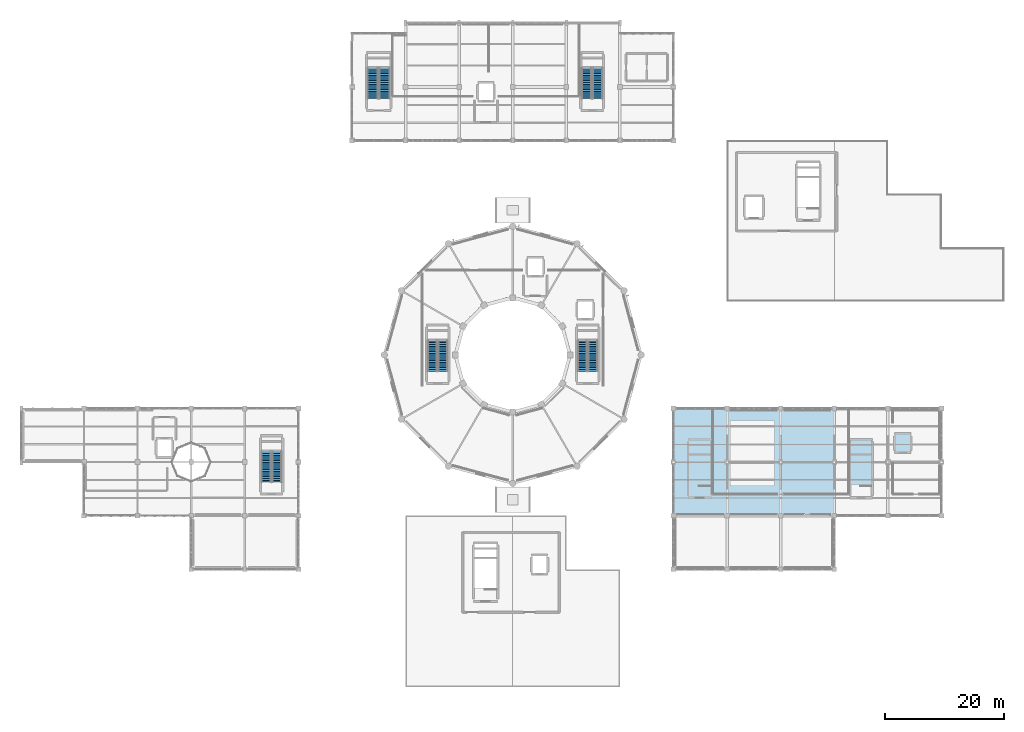
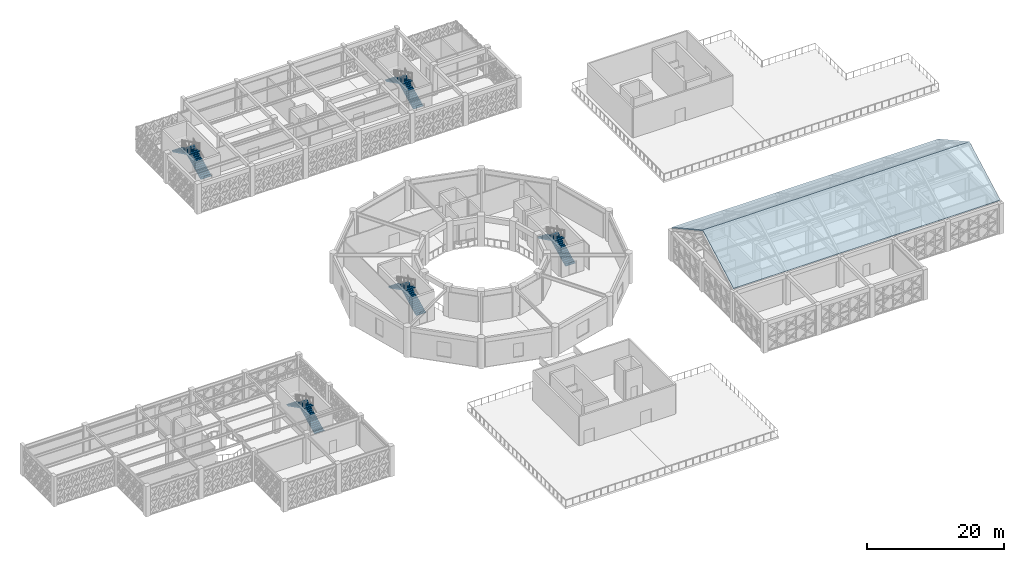
# One storey, part 75 of 86: 10 stair flights, 2 roofs, 5 elements without a shape of their own.
"""IFC4 building model written with IfcOpenShell, lengths in metres."""

from ifc_helpers import new_model, si_unit, direction, frame, origin, place, context, subcontext, project, spatial, polyline, outline, extrude, material, type_object, element, aggregate, save


model = new_model("IFC4")

# Units and contexts
model_context = context("Model", 3, precision=1e-05, world=origin(), true_north=direction((0.0, 1.0)))
body_context = subcontext(model_context, "Body", "Model", "MODEL_VIEW")
ifc_project = project(units=[si_unit("LENGTHUNIT", "METRE"), si_unit("AREAUNIT", "SQUARE_METRE"), si_unit("VOLUMEUNIT", "CUBIC_METRE"), si_unit("PLANEANGLEUNIT", "RADIAN"), si_unit("MASSUNIT", "GRAM", prefix="KILO")], contexts=[model_context])

# Site, building, storey
site_placement = place(None, origin())
site = spatial("IfcSite", under=ifc_project, at=site_placement, CompositionType="ELEMENT")
building_placement = place(site_placement, origin())
building = spatial("IfcBuilding", under=site, at=building_placement, Name="Haizhuo Lancet Aquarium", CompositionType="ELEMENT")
storey_placement = place(building_placement, frame((0.0, 0.0, 16.199951171875)))
storey = spatial("IfcBuildingStorey", under=building, at=storey_placement, Name="L03", CompositionType="ELEMENT", Elevation=16.199951171875)

# Stair, stair flights
ifc_material_1 = material(Name="Concrete C40/50", Category="concrete")
stair_type_1 = type_object("IfcStairType", Name="STR-HT-1600-54", PredefinedType="HALF_TURN_STAIR", material=ifc_material_1)
stair_1_placement = place(storey_placement, origin())
stair_1 = element("IfcStair", 1, at=stair_1_placement, inside=storey, type_object=stair_type_1, Name="L03 enclosed exit stair ST-01", PredefinedType="HALF_TURN_STAIR")
stair_flight_type_1 = type_object("IfcStairFlightType", Name="FLT-STR-1600-54", PredefinedType="STRAIGHT", material=ifc_material_1)
stair_flight_1_placement = place(storey_placement, frame((-11.699951171875, -2.75, 0.0), z_axis=(0.0, 0.0, 1.0), x_axis=(0.0, 1.0, 0.0)))
stair_flight_1 = element("IfcStairFlight", 2, at=stair_flight_1_placement, type_object=stair_flight_type_1, Name="ST-15 flight 1", NumberOfRisers=18, NumberOfTreads=17, PredefinedType="STRAIGHT", RiserHeight=0.15, TreadLength=0.3, context=body_context, shape_type="SweptSolid", body=[
    extrude(outline(polyline([(0.0, 0.0), (0.0, 0.14990234375), (0.300048828125, 0.14990234375), (0.300048828125, 0.300048828125), (0.60009765625, 0.300048828125), (0.60009765625, 0.449951171875), (0.89990234375, 0.449951171875), (0.89990234375, 0.60009765625), (1.199951171875, 0.60009765625), (1.199951171875, 0.75), (1.5, 0.75), (1.5, 0.89990234375), (1.800048828125, 0.89990234375), (1.800048828125, 1.050048828125), (2.10009765625, 1.050048828125), (2.10009765625, 1.199951171875), (2.39990234375, 1.199951171875), (2.39990234375, 1.35009765625), (2.699951171875, 1.35009765625), (2.699951171875, 1.5), (3.0, 1.5), (3.0, 1.64990234375), (3.300048828125, 1.64990234375), (3.300048828125, 1.800048828125), (3.60009765625, 1.800048828125), (3.60009765625, 1.949951171875), (3.89990234375, 1.949951171875), (3.89990234375, 2.10009765625), (4.199951171875, 2.10009765625), (4.199951171875, 2.25), (4.5, 2.25), (4.5, 2.39990234375), (4.800048828125, 2.39990234375), (4.800048828125, 2.550048828125), (5.10009765625, 2.550048828125), (5.10009765625, 2.699951171875), (5.10009765625, 2.37109375), (0.357666015625, 0.0), (0.0, 0.0)])), frame((0.0, 0.800048828125, 0.0), z_axis=(0.0, -1.0, 0.0), x_axis=(1.0, 0.0, 0.0)), (0.0, 0.0, 1.0), 1.60009765625),
])
stair_flight_2_placement = place(storey_placement, frame((-13.5, 2.35009765625, 2.699951171875), z_axis=(0.0, 0.0, 1.0), x_axis=(0.0, -1.0, 0.0)))
stair_flight_2 = element("IfcStairFlight", 3, at=stair_flight_2_placement, type_object=stair_flight_type_1, Name="ST-15 flight 2", NumberOfRisers=18, NumberOfTreads=17, PredefinedType="STRAIGHT", RiserHeight=0.15, TreadLength=0.3, context=body_context, shape_type="SweptSolid", body=[
    extrude(outline(polyline([(0.0, 0.0), (0.0, 0.14990234375), (0.300048828125, 0.14990234375), (0.300048828125, 0.300048828125), (0.60009765625, 0.300048828125), (0.60009765625, 0.449951171875), (0.89990234375, 0.449951171875), (0.89990234375, 0.60009765625), (1.199951171875, 0.60009765625), (1.199951171875, 0.75), (1.5, 0.75), (1.5, 0.89990234375), (1.800048828125, 0.89990234375), (1.800048828125, 1.050048828125), (2.10009765625, 1.050048828125), (2.10009765625, 1.199951171875), (2.39990234375, 1.199951171875), (2.39990234375, 1.35009765625), (2.699951171875, 1.35009765625), (2.699951171875, 1.5), (3.0, 1.5), (3.0, 1.64990234375), (3.300048828125, 1.64990234375), (3.300048828125, 1.800048828125), (3.60009765625, 1.800048828125), (3.60009765625, 1.949951171875), (3.89990234375, 1.949951171875), (3.89990234375, 2.10009765625), (4.199951171875, 2.10009765625), (4.199951171875, 2.25), (4.5, 2.25), (4.5, 2.39990234375), (4.800048828125, 2.39990234375), (4.800048828125, 2.550048828125), (5.10009765625, 2.550048828125), (5.10009765625, 2.699951171875), (5.10009765625, 2.37109375), (0.357666015625, 0.0), (0.0, 0.0)])), frame((0.0, 0.800048828125, 0.0), z_axis=(0.0, -1.0, 0.0), x_axis=(1.0, 0.0, 0.0)), (0.0, 0.0, 1.0), 1.60009765625),
])
aggregate(stair_1, [stair_flight_1, stair_flight_2])

stair_2_placement = place(storey_placement, origin())
stair_2 = element("IfcStair", 4, at=stair_2_placement, inside=storey, type_object=stair_type_1, Name="L03 enclosed exit stair ST-02", PredefinedType="HALF_TURN_STAIR")
stair_flight_3_placement = place(storey_placement, frame((13.5, -2.75, 0.0), z_axis=(0.0, 0.0, 1.0), x_axis=(0.0, 1.0, 0.0)))
stair_flight_3 = element("IfcStairFlight", 5, at=stair_flight_3_placement, type_object=stair_flight_type_1, Name="ST-15 flight 1", NumberOfRisers=18, NumberOfTreads=17, PredefinedType="STRAIGHT", RiserHeight=0.15, TreadLength=0.3, context=body_context, shape_type="SweptSolid", body=[
    extrude(outline(polyline([(0.0, 0.0), (0.0, 0.14990234375), (0.300048828125, 0.14990234375), (0.300048828125, 0.300048828125), (0.60009765625, 0.300048828125), (0.60009765625, 0.449951171875), (0.89990234375, 0.449951171875), (0.89990234375, 0.60009765625), (1.199951171875, 0.60009765625), (1.199951171875, 0.75), (1.5, 0.75), (1.5, 0.89990234375), (1.800048828125, 0.89990234375), (1.800048828125, 1.050048828125), (2.10009765625, 1.050048828125), (2.10009765625, 1.199951171875), (2.39990234375, 1.199951171875), (2.39990234375, 1.35009765625), (2.699951171875, 1.35009765625), (2.699951171875, 1.5), (3.0, 1.5), (3.0, 1.64990234375), (3.300048828125, 1.64990234375), (3.300048828125, 1.800048828125), (3.60009765625, 1.800048828125), (3.60009765625, 1.949951171875), (3.89990234375, 1.949951171875), (3.89990234375, 2.10009765625), (4.199951171875, 2.10009765625), (4.199951171875, 2.25), (4.5, 2.25), (4.5, 2.39990234375), (4.800048828125, 2.39990234375), (4.800048828125, 2.550048828125), (5.10009765625, 2.550048828125), (5.10009765625, 2.699951171875), (5.10009765625, 2.37109375), (0.357666015625, 0.0), (0.0, 0.0)])), frame((0.0, 0.800048828125, 0.0), z_axis=(0.0, -1.0, 0.0), x_axis=(1.0, 0.0, 0.0)), (0.0, 0.0, 1.0), 1.60009765625),
])
stair_flight_4_placement = place(storey_placement, frame((11.699951171875, 2.35009765625, 2.699951171875), z_axis=(0.0, 0.0, 1.0), x_axis=(0.0, -1.0, 0.0)))
stair_flight_4 = element("IfcStairFlight", 6, at=stair_flight_4_placement, type_object=stair_flight_type_1, Name="ST-15 flight 2", NumberOfRisers=18, NumberOfTreads=17, PredefinedType="STRAIGHT", RiserHeight=0.15, TreadLength=0.3, context=body_context, shape_type="SweptSolid", body=[
    extrude(outline(polyline([(0.0, 0.0), (0.0, 0.14990234375), (0.300048828125, 0.14990234375), (0.300048828125, 0.300048828125), (0.60009765625, 0.300048828125), (0.60009765625, 0.449951171875), (0.89990234375, 0.449951171875), (0.89990234375, 0.60009765625), (1.199951171875, 0.60009765625), (1.199951171875, 0.75), (1.5, 0.75), (1.5, 0.89990234375), (1.800048828125, 0.89990234375), (1.800048828125, 1.050048828125), (2.10009765625, 1.050048828125), (2.10009765625, 1.199951171875), (2.39990234375, 1.199951171875), (2.39990234375, 1.35009765625), (2.699951171875, 1.35009765625), (2.699951171875, 1.5), (3.0, 1.5), (3.0, 1.64990234375), (3.300048828125, 1.64990234375), (3.300048828125, 1.800048828125), (3.60009765625, 1.800048828125), (3.60009765625, 1.949951171875), (3.89990234375, 1.949951171875), (3.89990234375, 2.10009765625), (4.199951171875, 2.10009765625), (4.199951171875, 2.25), (4.5, 2.25), (4.5, 2.39990234375), (4.800048828125, 2.39990234375), (4.800048828125, 2.550048828125), (5.10009765625, 2.550048828125), (5.10009765625, 2.699951171875), (5.10009765625, 2.37109375), (0.357666015625, 0.0), (0.0, 0.0)])), frame((0.0, 0.800048828125, 0.0), z_axis=(0.0, -1.0, 0.0), x_axis=(1.0, 0.0, 0.0)), (0.0, 0.0, 1.0), 1.60009765625),
])
aggregate(stair_2, [stair_flight_3, stair_flight_4])

stair_3_placement = place(storey_placement, origin())
stair_3 = element("IfcStair", 7, at=stair_3_placement, inside=storey, type_object=stair_type_1, Name="L03 enclosed exit stair ST-09", PredefinedType="HALF_TURN_STAIR")
stair_flight_5_placement = place(storey_placement, frame((-39.60009765625, -21.35009765625, 0.0), z_axis=(0.0, 0.0, 1.0), x_axis=(0.0, 1.0, 0.0)))
stair_flight_5 = element("IfcStairFlight", 8, at=stair_flight_5_placement, type_object=stair_flight_type_1, Name="ST-15 flight 1", NumberOfRisers=18, NumberOfTreads=17, PredefinedType="STRAIGHT", RiserHeight=0.15, TreadLength=0.3, context=body_context, shape_type="SweptSolid", body=[
    extrude(outline(polyline([(0.0, 0.0), (0.0, 0.14990234375), (0.300048828125, 0.14990234375), (0.300048828125, 0.300048828125), (0.60009765625, 0.300048828125), (0.60009765625, 0.449951171875), (0.89990234375, 0.449951171875), (0.89990234375, 0.60009765625), (1.199951171875, 0.60009765625), (1.199951171875, 0.75), (1.5, 0.75), (1.5, 0.89990234375), (1.800048828125, 0.89990234375), (1.800048828125, 1.050048828125), (2.10009765625, 1.050048828125), (2.10009765625, 1.199951171875), (2.39990234375, 1.199951171875), (2.39990234375, 1.35009765625), (2.699951171875, 1.35009765625), (2.699951171875, 1.5), (3.0, 1.5), (3.0, 1.64990234375), (3.300048828125, 1.64990234375), (3.300048828125, 1.800048828125), (3.60009765625, 1.800048828125), (3.60009765625, 1.949951171875), (3.89990234375, 1.949951171875), (3.89990234375, 2.10009765625), (4.199951171875, 2.10009765625), (4.199951171875, 2.25), (4.5, 2.25), (4.5, 2.39990234375), (4.800048828125, 2.39990234375), (4.800048828125, 2.550048828125), (5.10009765625, 2.550048828125), (5.10009765625, 2.699951171875), (5.10009765625, 2.37109375), (0.357666015625, 0.0), (0.0, 0.0)])), frame((0.0, 0.800048828125, 0.0), z_axis=(0.0, -1.0, 0.0), x_axis=(1.0, 0.0, 0.0)), (0.0, 0.0, 1.0), 1.60009765625),
])
stair_flight_6_placement = place(storey_placement, frame((-41.39990234375, -16.25, 2.699951171875), z_axis=(0.0, 0.0, 1.0), x_axis=(0.0, -1.0, 0.0)))
stair_flight_6 = element("IfcStairFlight", 9, at=stair_flight_6_placement, type_object=stair_flight_type_1, Name="ST-15 flight 2", NumberOfRisers=18, NumberOfTreads=17, PredefinedType="STRAIGHT", RiserHeight=0.15, TreadLength=0.3, context=body_context, shape_type="SweptSolid", body=[
    extrude(outline(polyline([(0.0, 0.0), (0.0, 0.14990234375), (0.300048828125, 0.14990234375), (0.300048828125, 0.300048828125), (0.60009765625, 0.300048828125), (0.60009765625, 0.449951171875), (0.89990234375, 0.449951171875), (0.89990234375, 0.60009765625), (1.199951171875, 0.60009765625), (1.199951171875, 0.75), (1.5, 0.75), (1.5, 0.89990234375), (1.800048828125, 0.89990234375), (1.800048828125, 1.050048828125), (2.10009765625, 1.050048828125), (2.10009765625, 1.199951171875), (2.39990234375, 1.199951171875), (2.39990234375, 1.35009765625), (2.699951171875, 1.35009765625), (2.699951171875, 1.5), (3.0, 1.5), (3.0, 1.64990234375), (3.300048828125, 1.64990234375), (3.300048828125, 1.800048828125), (3.60009765625, 1.800048828125), (3.60009765625, 1.949951171875), (3.89990234375, 1.949951171875), (3.89990234375, 2.10009765625), (4.199951171875, 2.10009765625), (4.199951171875, 2.25), (4.5, 2.25), (4.5, 2.39990234375), (4.800048828125, 2.39990234375), (4.800048828125, 2.550048828125), (5.10009765625, 2.550048828125), (5.10009765625, 2.699951171875), (5.10009765625, 2.37109375), (0.357666015625, 0.0), (0.0, 0.0)])), frame((0.0, 0.800048828125, 0.0), z_axis=(0.0, -1.0, 0.0), x_axis=(1.0, 0.0, 0.0)), (0.0, 0.0, 1.0), 1.60009765625),
])
aggregate(stair_3, [stair_flight_5, stair_flight_6])

stair_type_2 = type_object("IfcStairType", Name="STR-HT-1650-54", PredefinedType="HALF_TURN_STAIR", material=ifc_material_1)
stair_4_placement = place(storey_placement, origin())
stair_4 = element("IfcStair", 10, at=stair_4_placement, inside=storey, type_object=stair_type_2, Name="L03 enclosed exit stair ST-08", PredefinedType="HALF_TURN_STAIR")
stair_flight_type_2 = type_object("IfcStairFlightType", Name="FLT-STR-1650-54", PredefinedType="STRAIGHT", material=ifc_material_1)
stair_flight_7_placement = place(storey_placement, frame((14.27490234375, 43.050048828125, 0.0), z_axis=(0.0, 0.0, 1.0), x_axis=(0.0, 1.0, 0.0)))
stair_flight_7 = element("IfcStairFlight", 11, at=stair_flight_7_placement, type_object=stair_flight_type_2, Name="ST-25 flight 1", NumberOfRisers=18, NumberOfTreads=17, PredefinedType="STRAIGHT", RiserHeight=0.15, TreadLength=0.3, context=body_context, shape_type="SweptSolid", body=[
    extrude(outline(polyline([(0.0, 0.0), (0.0, 0.14990234375), (0.300048828125, 0.14990234375), (0.300048828125, 0.300048828125), (0.60009765625, 0.300048828125), (0.60009765625, 0.449951171875), (0.89990234375, 0.449951171875), (0.89990234375, 0.60009765625), (1.199951171875, 0.60009765625), (1.199951171875, 0.75), (1.5, 0.75), (1.5, 0.89990234375), (1.800048828125, 0.89990234375), (1.800048828125, 1.050048828125), (2.10009765625, 1.050048828125), (2.10009765625, 1.199951171875), (2.39990234375, 1.199951171875), (2.39990234375, 1.35009765625), (2.699951171875, 1.35009765625), (2.699951171875, 1.5), (3.0, 1.5), (3.0, 1.64990234375), (3.300048828125, 1.64990234375), (3.300048828125, 1.800048828125), (3.60009765625, 1.800048828125), (3.60009765625, 1.949951171875), (3.89990234375, 1.949951171875), (3.89990234375, 2.10009765625), (4.199951171875, 2.10009765625), (4.199951171875, 2.25), (4.5, 2.25), (4.5, 2.39990234375), (4.800048828125, 2.39990234375), (4.800048828125, 2.550048828125), (5.10009765625, 2.550048828125), (5.10009765625, 2.699951171875), (5.10009765625, 2.37109375), (0.357666015625, 0.0), (0.0, 0.0)])), frame((0.0, 0.824951171875, 0.0), z_axis=(0.0, -1.0, 0.0), x_axis=(1.0, 0.0, 0.0)), (0.0, 0.0, 1.0), 1.64990234375),
])
stair_flight_8_placement = place(storey_placement, frame((12.425048828125, 48.14990234375, 2.699951171875), z_axis=(0.0, 0.0, 1.0), x_axis=(0.0, -1.0, 0.0)))
stair_flight_8 = element("IfcStairFlight", 12, at=stair_flight_8_placement, type_object=stair_flight_type_2, Name="ST-25 flight 2", NumberOfRisers=18, NumberOfTreads=17, PredefinedType="STRAIGHT", RiserHeight=0.15, TreadLength=0.3, context=body_context, shape_type="SweptSolid", body=[
    extrude(outline(polyline([(0.0, 0.0), (0.0, 0.14990234375), (0.300048828125, 0.14990234375), (0.300048828125, 0.300048828125), (0.60009765625, 0.300048828125), (0.60009765625, 0.449951171875), (0.89990234375, 0.449951171875), (0.89990234375, 0.60009765625), (1.199951171875, 0.60009765625), (1.199951171875, 0.75), (1.5, 0.75), (1.5, 0.89990234375), (1.800048828125, 0.89990234375), (1.800048828125, 1.050048828125), (2.10009765625, 1.050048828125), (2.10009765625, 1.199951171875), (2.39990234375, 1.199951171875), (2.39990234375, 1.35009765625), (2.699951171875, 1.35009765625), (2.699951171875, 1.5), (3.0, 1.5), (3.0, 1.64990234375), (3.300048828125, 1.64990234375), (3.300048828125, 1.800048828125), (3.60009765625, 1.800048828125), (3.60009765625, 1.949951171875), (3.89990234375, 1.949951171875), (3.89990234375, 2.10009765625), (4.199951171875, 2.10009765625), (4.199951171875, 2.25), (4.5, 2.25), (4.5, 2.39990234375), (4.800048828125, 2.39990234375), (4.800048828125, 2.550048828125), (5.10009765625, 2.550048828125), (5.10009765625, 2.699951171875), (5.10009765625, 2.37109375), (0.357666015625, 0.0), (0.0, 0.0)])), frame((0.0, 0.824951171875, 0.0), z_axis=(0.0, -1.0, 0.0), x_axis=(1.0, 0.0, 0.0)), (0.0, 0.0, 1.0), 1.64990234375),
])
aggregate(stair_4, [stair_flight_7, stair_flight_8])

stair_type_3 = type_object("IfcStairType", Name="STR-HT-1800-54", PredefinedType="HALF_TURN_STAIR", material=ifc_material_1)
stair_5_placement = place(storey_placement, origin())
stair_5 = element("IfcStair", 13, at=stair_5_placement, inside=storey, type_object=stair_type_3, Name="L03 enclosed exit stair ST-07", PredefinedType="HALF_TURN_STAIR")
stair_flight_type_3 = type_object("IfcStairFlightType", Name="FLT-STR-1800-54", PredefinedType="STRAIGHT", material=ifc_material_1)
stair_flight_9_placement = place(storey_placement, frame((-21.5, 43.050048828125, 0.0), z_axis=(0.0, 0.0, 1.0), x_axis=(0.0, 1.0, 0.0)))
stair_flight_9 = element("IfcStairFlight", 14, at=stair_flight_9_placement, type_object=stair_flight_type_3, Name="ST-55 flight 1", NumberOfRisers=18, NumberOfTreads=17, PredefinedType="STRAIGHT", RiserHeight=0.15, TreadLength=0.3, context=body_context, shape_type="SweptSolid", body=[
    extrude(outline(polyline([(0.0, 0.0), (0.0, 0.14990234375), (0.300048828125, 0.14990234375), (0.300048828125, 0.300048828125), (0.60009765625, 0.300048828125), (0.60009765625, 0.449951171875), (0.89990234375, 0.449951171875), (0.89990234375, 0.60009765625), (1.199951171875, 0.60009765625), (1.199951171875, 0.75), (1.5, 0.75), (1.5, 0.89990234375), (1.800048828125, 0.89990234375), (1.800048828125, 1.050048828125), (2.10009765625, 1.050048828125), (2.10009765625, 1.199951171875), (2.39990234375, 1.199951171875), (2.39990234375, 1.35009765625), (2.699951171875, 1.35009765625), (2.699951171875, 1.5), (3.0, 1.5), (3.0, 1.64990234375), (3.300048828125, 1.64990234375), (3.300048828125, 1.800048828125), (3.60009765625, 1.800048828125), (3.60009765625, 1.949951171875), (3.89990234375, 1.949951171875), (3.89990234375, 2.10009765625), (4.199951171875, 2.10009765625), (4.199951171875, 2.25), (4.5, 2.25), (4.5, 2.39990234375), (4.800048828125, 2.39990234375), (4.800048828125, 2.550048828125), (5.10009765625, 2.550048828125), (5.10009765625, 2.699951171875), (5.10009765625, 2.37109375), (0.357666015625, 0.0), (0.0, 0.0)])), frame((0.0, 0.89990234375, 0.0), z_axis=(0.0, -1.0, 0.0), x_axis=(1.0, 0.0, 0.0)), (0.0, 0.0, 1.0), 1.800048828125),
])
stair_flight_10_placement = place(storey_placement, frame((-23.5, 48.14990234375, 2.699951171875), z_axis=(0.0, 0.0, 1.0), x_axis=(0.0, -1.0, 0.0)))
stair_flight_10 = element("IfcStairFlight", 15, at=stair_flight_10_placement, type_object=stair_flight_type_3, Name="ST-55 flight 2", NumberOfRisers=18, NumberOfTreads=17, PredefinedType="STRAIGHT", RiserHeight=0.15, TreadLength=0.3, context=body_context, shape_type="SweptSolid", body=[
    extrude(outline(polyline([(0.0, 0.0), (0.0, 0.14990234375), (0.300048828125, 0.14990234375), (0.300048828125, 0.300048828125), (0.60009765625, 0.300048828125), (0.60009765625, 0.449951171875), (0.89990234375, 0.449951171875), (0.89990234375, 0.60009765625), (1.199951171875, 0.60009765625), (1.199951171875, 0.75), (1.5, 0.75), (1.5, 0.89990234375), (1.800048828125, 0.89990234375), (1.800048828125, 1.050048828125), (2.10009765625, 1.050048828125), (2.10009765625, 1.199951171875), (2.39990234375, 1.199951171875), (2.39990234375, 1.35009765625), (2.699951171875, 1.35009765625), (2.699951171875, 1.5), (3.0, 1.5), (3.0, 1.64990234375), (3.300048828125, 1.64990234375), (3.300048828125, 1.800048828125), (3.60009765625, 1.800048828125), (3.60009765625, 1.949951171875), (3.89990234375, 1.949951171875), (3.89990234375, 2.10009765625), (4.199951171875, 2.10009765625), (4.199951171875, 2.25), (4.5, 2.25), (4.5, 2.39990234375), (4.800048828125, 2.39990234375), (4.800048828125, 2.550048828125), (5.10009765625, 2.550048828125), (5.10009765625, 2.699951171875), (5.10009765625, 2.37109375), (0.357666015625, 0.0), (0.0, 0.0)])), frame((0.0, 0.89990234375, 0.0), z_axis=(0.0, -1.0, 0.0), x_axis=(1.0, 0.0, 0.0)), (0.0, 0.0, 1.0), 1.800048828125),
])
aggregate(stair_5, [stair_flight_9, stair_flight_10])

# Roofs
ifc_material_2 = material(Name="Standing-Seam Titanium Zinc", Category="steel")
roof_type = type_object("IfcRoofType", Name="RFT-GABLE_ROOF", PredefinedType="GABLE_ROOF", material=ifc_material_2)
for number, where, z_axis, x_axis, name in (
    (16, (27.0, -27.0, 5.7900390625), (0.0, -0.481988090147, 0.876177767897), (1.0, 0.0, 0.0), "V3 Gothic pitched roof 1 S"),
    (17, (72.0, -9.0, 5.7900390625), (0.0, 0.481988090147, 0.876177767897), (-1.0, 0.0, 0.0), "V3 Gothic pitched roof 1 N"),
):
    element("IfcRoof", number, at=place(storey_placement, frame(where, z_axis=z_axis, x_axis=x_axis)), inside=storey, type_object=roof_type, material=ifc_material_2, Name=name, PredefinedType="GABLE_ROOF", context=body_context, shape_type="SweptSolid", body=[
        extrude(outline(polyline([(0.0, 0.0), (45.0, 0.0), (45.0, 10.27188811421754), (0.0, 10.27188811421754), (0.0, 0.0)])), origin(), (0.0, 0.0, -1.0), 0.159912109375),
    ])

save(model, "model.ifc")
